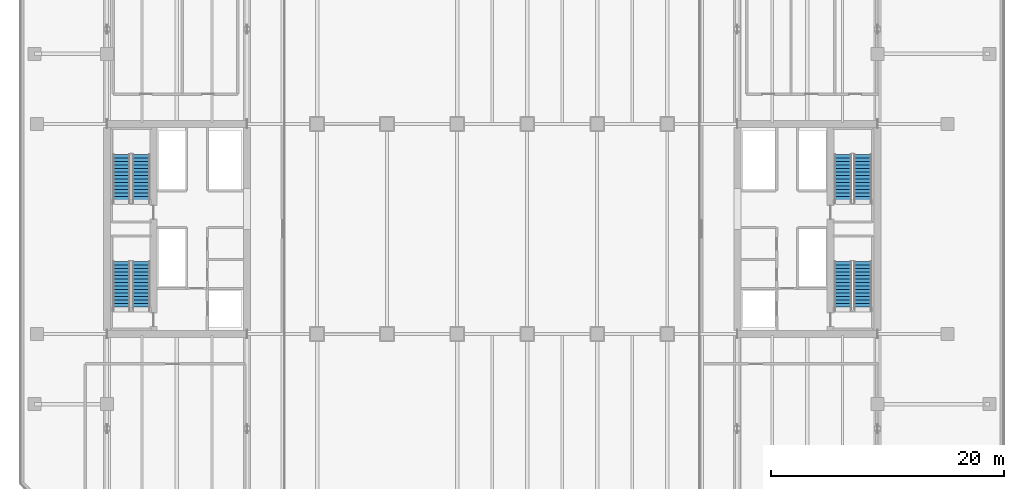
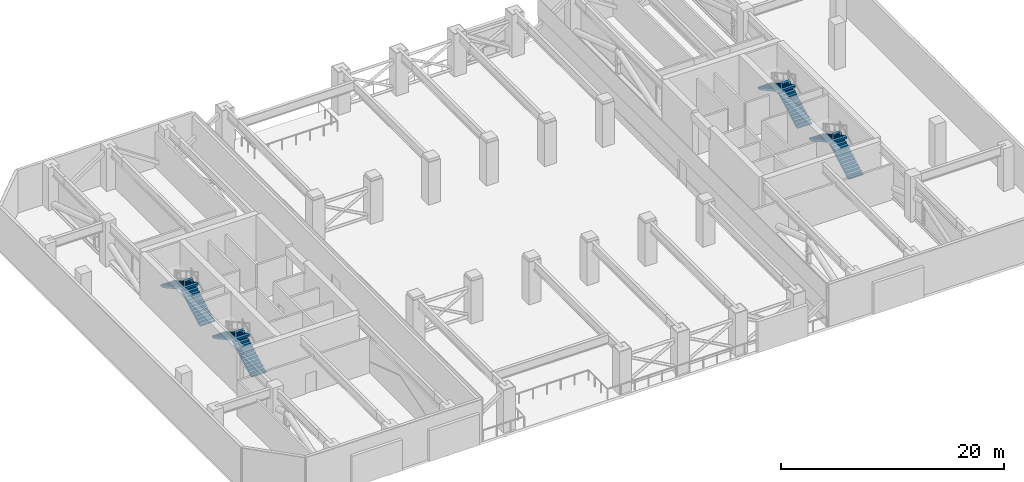
# One storey, part 13 of 22: 8 stair flights, 4 elements without a shape of their own.
"""IFC4 building model written with IfcOpenShell, lengths in metres."""

from ifc_helpers import new_model, si_unit, direction, frame, origin, place, context, subcontext, project, spatial, polyline, outline, extrude, material, type_object, element, aggregate, save


model = new_model("IFC4")

# Units and contexts
model_context = context("Model", 3, precision=1e-05, world=origin(), true_north=direction((0.0, 1.0)))
body_context = subcontext(model_context, "Body", "Model", "MODEL_VIEW")
ifc_project = project(units=[si_unit("LENGTHUNIT", "METRE"), si_unit("AREAUNIT", "SQUARE_METRE"), si_unit("VOLUMEUNIT", "CUBIC_METRE"), si_unit("PLANEANGLEUNIT", "RADIAN"), si_unit("MASSUNIT", "GRAM", prefix="KILO")], contexts=[model_context])

# Site, building, storey
site_placement = place(None, origin())
site = spatial("IfcSite", under=ifc_project, at=site_placement, CompositionType="ELEMENT")
building_placement = place(site_placement, origin())
building = spatial("IfcBuilding", under=site, at=building_placement, Name="Tanjung Sevakor Pilgrim Tower", CompositionType="ELEMENT")
storey_placement = place(building_placement, frame((0.0, 0.0, 73.260009765625)))
storey = spatial("IfcBuildingStorey", under=building, at=storey_placement, Name="L20", CompositionType="ELEMENT", Elevation=73.260009765625)

# Stair, stair flights
ifc_material_1 = material(Name="Concrete C40/50", Category="concrete")
stair_type = type_object("IfcStairType", Name="STAIR-ST-CR150", PredefinedType="HALF_TURN_STAIR", material=ifc_material_1)
stair_1_placement = place(storey_placement, origin())
stair_1 = element("IfcStair", 1, at=stair_1_placement, inside=storey, type_object=stair_type, Name="L20 West Core Exit Stair 1", PredefinedType="HALF_TURN_STAIR")
ifc_material_2 = material(Name="Concrete C40/50", Category="concrete")
stair_flight_type = type_object("IfcStairFlightType", Name="FLIGHT-ST-CR150", PredefinedType="STRAIGHT", material=ifc_material_2)
stair_flight_1_placement = place(storey_placement, frame((26.949951171875, 26.60009765625, 0.0), z_axis=(0.0, 0.0, 1.0), x_axis=(0.0, 1.0, 0.0)))
stair_flight_1 = element("IfcStairFlight", 2, at=stair_flight_1_placement, type_object=stair_flight_type, Name="TS-W1 flight 1", NumberOfRisers=15, NumberOfTreads=14, PredefinedType="STRAIGHT", RiserHeight=0.165, TreadLength=0.3, context=body_context, shape_type="SweptSolid", body=[
    extrude(outline(polyline([(0.0, 0.0), (0.0, 0.1650390625), (0.300048828125, 0.1650390625), (0.300048828125, 0.330078125), (0.60009765625, 0.330078125), (0.60009765625, 0.4951171875), (0.89990234375, 0.4951171875), (0.89990234375, 0.659912109375), (1.199951171875, 0.659912109375), (1.199951171875, 0.824951171875), (1.5, 0.824951171875), (1.5, 0.989990234375), (1.800048828125, 0.989990234375), (1.800048828125, 1.155029296875), (2.10009765625, 1.155029296875), (2.10009765625, 1.320068359375), (2.39990234375, 1.320068359375), (2.39990234375, 1.485107421875), (2.699951171875, 1.485107421875), (2.699951171875, 1.64990234375), (3.0, 1.64990234375), (3.0, 1.81494140625), (3.300048828125, 1.81494140625), (3.300048828125, 1.97998046875), (3.60009765625, 1.97998046875), (3.60009765625, 2.14501953125), (3.89990234375, 2.14501953125), (3.89990234375, 2.31005859375), (4.199951171875, 2.31005859375), (4.199951171875, 2.47509765625), (4.199951171875, 2.12744140625), (0.331787109375, 0.0), (0.0, 0.0)])), frame((0.0, 0.75, 0.0), z_axis=(0.0, -1.0, 0.0), x_axis=(1.0, 0.0, 0.0)), (0.0, 0.0, 1.0), 1.5),
])
stair_flight_2_placement = place(storey_placement, frame((25.25, 30.800048828125, 2.47509765625), z_axis=(0.0, 0.0, 1.0), x_axis=(0.0, -1.0, 0.0)))
stair_flight_2 = element("IfcStairFlight", 3, at=stair_flight_2_placement, type_object=stair_flight_type, Name="TS-W1 flight 2", NumberOfRisers=15, NumberOfTreads=14, PredefinedType="STRAIGHT", RiserHeight=0.165, TreadLength=0.3, context=body_context, shape_type="SweptSolid", body=[
    extrude(outline(polyline([(0.0, 0.0), (0.0, 0.1650390625), (0.300048828125, 0.1650390625), (0.300048828125, 0.330078125), (0.60009765625, 0.330078125), (0.60009765625, 0.4951171875), (0.89990234375, 0.4951171875), (0.89990234375, 0.659912109375), (1.199951171875, 0.659912109375), (1.199951171875, 0.824951171875), (1.5, 0.824951171875), (1.5, 0.989990234375), (1.800048828125, 0.989990234375), (1.800048828125, 1.155029296875), (2.10009765625, 1.155029296875), (2.10009765625, 1.320068359375), (2.39990234375, 1.320068359375), (2.39990234375, 1.485107421875), (2.699951171875, 1.485107421875), (2.699951171875, 1.64990234375), (3.0, 1.64990234375), (3.0, 1.81494140625), (3.300048828125, 1.81494140625), (3.300048828125, 1.97998046875), (3.60009765625, 1.97998046875), (3.60009765625, 2.14501953125), (3.89990234375, 2.14501953125), (3.89990234375, 2.31005859375), (4.199951171875, 2.31005859375), (4.199951171875, 2.47509765625), (4.199951171875, 2.12744140625), (0.331787109375, 0.0), (0.0, 0.0)])), frame((0.0, 0.75, 0.0), z_axis=(0.0, -1.0, 0.0), x_axis=(1.0, 0.0, 0.0)), (0.0, 0.0, 1.0), 1.5),
])
aggregate(stair_1, [stair_flight_1, stair_flight_2])

stair_2_placement = place(storey_placement, origin())
stair_2 = element("IfcStair", 4, at=stair_2_placement, inside=storey, type_object=stair_type, Name="L20 West Core Exit Stair 2", PredefinedType="HALF_TURN_STAIR")
stair_flight_3_placement = place(storey_placement, frame((26.949951171875, 35.800048828125, 0.0), z_axis=(0.0, 0.0, 1.0), x_axis=(0.0, 1.0, 0.0)))
stair_flight_3 = element("IfcStairFlight", 5, at=stair_flight_3_placement, type_object=stair_flight_type, Name="TS-W2 flight 1", NumberOfRisers=15, NumberOfTreads=14, PredefinedType="STRAIGHT", RiserHeight=0.165, TreadLength=0.3, context=body_context, shape_type="SweptSolid", body=[
    extrude(outline(polyline([(0.0, 0.0), (0.0, 0.1650390625), (0.300048828125, 0.1650390625), (0.300048828125, 0.330078125), (0.60009765625, 0.330078125), (0.60009765625, 0.4951171875), (0.89990234375, 0.4951171875), (0.89990234375, 0.659912109375), (1.199951171875, 0.659912109375), (1.199951171875, 0.824951171875), (1.5, 0.824951171875), (1.5, 0.989990234375), (1.800048828125, 0.989990234375), (1.800048828125, 1.155029296875), (2.10009765625, 1.155029296875), (2.10009765625, 1.320068359375), (2.39990234375, 1.320068359375), (2.39990234375, 1.485107421875), (2.699951171875, 1.485107421875), (2.699951171875, 1.64990234375), (3.0, 1.64990234375), (3.0, 1.81494140625), (3.300048828125, 1.81494140625), (3.300048828125, 1.97998046875), (3.60009765625, 1.97998046875), (3.60009765625, 2.14501953125), (3.89990234375, 2.14501953125), (3.89990234375, 2.31005859375), (4.199951171875, 2.31005859375), (4.199951171875, 2.47509765625), (4.199951171875, 2.12744140625), (0.331787109375, 0.0), (0.0, 0.0)])), frame((0.0, 0.75, 0.0), z_axis=(0.0, -1.0, 0.0), x_axis=(1.0, 0.0, 0.0)), (0.0, 0.0, 1.0), 1.5),
])
stair_flight_4_placement = place(storey_placement, frame((25.25, 40.0, 2.47509765625), z_axis=(0.0, 0.0, 1.0), x_axis=(0.0, -1.0, 0.0)))
stair_flight_4 = element("IfcStairFlight", 6, at=stair_flight_4_placement, type_object=stair_flight_type, Name="TS-W2 flight 2", NumberOfRisers=15, NumberOfTreads=14, PredefinedType="STRAIGHT", RiserHeight=0.165, TreadLength=0.3, context=body_context, shape_type="SweptSolid", body=[
    extrude(outline(polyline([(0.0, 0.0), (0.0, 0.1650390625), (0.300048828125, 0.1650390625), (0.300048828125, 0.330078125), (0.60009765625, 0.330078125), (0.60009765625, 0.4951171875), (0.89990234375, 0.4951171875), (0.89990234375, 0.659912109375), (1.199951171875, 0.659912109375), (1.199951171875, 0.824951171875), (1.5, 0.824951171875), (1.5, 0.989990234375), (1.800048828125, 0.989990234375), (1.800048828125, 1.155029296875), (2.10009765625, 1.155029296875), (2.10009765625, 1.320068359375), (2.39990234375, 1.320068359375), (2.39990234375, 1.485107421875), (2.699951171875, 1.485107421875), (2.699951171875, 1.64990234375), (3.0, 1.64990234375), (3.0, 1.81494140625), (3.300048828125, 1.81494140625), (3.300048828125, 1.97998046875), (3.60009765625, 1.97998046875), (3.60009765625, 2.14501953125), (3.89990234375, 2.14501953125), (3.89990234375, 2.31005859375), (4.199951171875, 2.31005859375), (4.199951171875, 2.47509765625), (4.199951171875, 2.12744140625), (0.331787109375, 0.0), (0.0, 0.0)])), frame((0.0, 0.75, 0.0), z_axis=(0.0, -1.0, 0.0), x_axis=(1.0, 0.0, 0.0)), (0.0, 0.0, 1.0), 1.5),
])
aggregate(stair_2, [stair_flight_3, stair_flight_4])

stair_3_placement = place(storey_placement, origin())
stair_3 = element("IfcStair", 7, at=stair_3_placement, inside=storey, type_object=stair_type, Name="L20 East Core Exit Stair 1", PredefinedType="HALF_TURN_STAIR")
stair_flight_5_placement = place(storey_placement, frame((88.75, 26.60009765625, 0.0), z_axis=(0.0, 0.0, 1.0), x_axis=(0.0, 1.0, 0.0)))
stair_flight_5 = element("IfcStairFlight", 8, at=stair_flight_5_placement, type_object=stair_flight_type, Name="TS-E1 flight 1", NumberOfRisers=15, NumberOfTreads=14, PredefinedType="STRAIGHT", RiserHeight=0.165, TreadLength=0.3, context=body_context, shape_type="SweptSolid", body=[
    extrude(outline(polyline([(0.0, 0.0), (0.0, 0.1650390625), (0.300048828125, 0.1650390625), (0.300048828125, 0.330078125), (0.60009765625, 0.330078125), (0.60009765625, 0.4951171875), (0.89990234375, 0.4951171875), (0.89990234375, 0.659912109375), (1.199951171875, 0.659912109375), (1.199951171875, 0.824951171875), (1.5, 0.824951171875), (1.5, 0.989990234375), (1.800048828125, 0.989990234375), (1.800048828125, 1.155029296875), (2.10009765625, 1.155029296875), (2.10009765625, 1.320068359375), (2.39990234375, 1.320068359375), (2.39990234375, 1.485107421875), (2.699951171875, 1.485107421875), (2.699951171875, 1.64990234375), (3.0, 1.64990234375), (3.0, 1.81494140625), (3.300048828125, 1.81494140625), (3.300048828125, 1.97998046875), (3.60009765625, 1.97998046875), (3.60009765625, 2.14501953125), (3.89990234375, 2.14501953125), (3.89990234375, 2.31005859375), (4.199951171875, 2.31005859375), (4.199951171875, 2.47509765625), (4.199951171875, 2.12744140625), (0.331787109375, 0.0), (0.0, 0.0)])), frame((0.0, 0.75, 0.0), z_axis=(0.0, -1.0, 0.0), x_axis=(1.0, 0.0, 0.0)), (0.0, 0.0, 1.0), 1.5),
])
stair_flight_6_placement = place(storey_placement, frame((87.050048828125, 30.800048828125, 2.47509765625), z_axis=(0.0, 0.0, 1.0), x_axis=(0.0, -1.0, 0.0)))
stair_flight_6 = element("IfcStairFlight", 9, at=stair_flight_6_placement, type_object=stair_flight_type, Name="TS-E1 flight 2", NumberOfRisers=15, NumberOfTreads=14, PredefinedType="STRAIGHT", RiserHeight=0.165, TreadLength=0.3, context=body_context, shape_type="SweptSolid", body=[
    extrude(outline(polyline([(0.0, 0.0), (0.0, 0.1650390625), (0.300048828125, 0.1650390625), (0.300048828125, 0.330078125), (0.60009765625, 0.330078125), (0.60009765625, 0.4951171875), (0.89990234375, 0.4951171875), (0.89990234375, 0.659912109375), (1.199951171875, 0.659912109375), (1.199951171875, 0.824951171875), (1.5, 0.824951171875), (1.5, 0.989990234375), (1.800048828125, 0.989990234375), (1.800048828125, 1.155029296875), (2.10009765625, 1.155029296875), (2.10009765625, 1.320068359375), (2.39990234375, 1.320068359375), (2.39990234375, 1.485107421875), (2.699951171875, 1.485107421875), (2.699951171875, 1.64990234375), (3.0, 1.64990234375), (3.0, 1.81494140625), (3.300048828125, 1.81494140625), (3.300048828125, 1.97998046875), (3.60009765625, 1.97998046875), (3.60009765625, 2.14501953125), (3.89990234375, 2.14501953125), (3.89990234375, 2.31005859375), (4.199951171875, 2.31005859375), (4.199951171875, 2.47509765625), (4.199951171875, 2.12744140625), (0.331787109375, 0.0), (0.0, 0.0)])), frame((0.0, 0.75, 0.0), z_axis=(0.0, -1.0, 0.0), x_axis=(1.0, 0.0, 0.0)), (0.0, 0.0, 1.0), 1.5),
])
aggregate(stair_3, [stair_flight_5, stair_flight_6])

stair_4_placement = place(storey_placement, origin())
stair_4 = element("IfcStair", 10, at=stair_4_placement, inside=storey, type_object=stair_type, Name="L20 East Core Exit Stair 2", PredefinedType="HALF_TURN_STAIR")
stair_flight_7_placement = place(storey_placement, frame((88.75, 35.800048828125, 0.0), z_axis=(0.0, 0.0, 1.0), x_axis=(0.0, 1.0, 0.0)))
stair_flight_7 = element("IfcStairFlight", 11, at=stair_flight_7_placement, type_object=stair_flight_type, Name="TS-E2 flight 1", NumberOfRisers=15, NumberOfTreads=14, PredefinedType="STRAIGHT", RiserHeight=0.165, TreadLength=0.3, context=body_context, shape_type="SweptSolid", body=[
    extrude(outline(polyline([(0.0, 0.0), (0.0, 0.1650390625), (0.300048828125, 0.1650390625), (0.300048828125, 0.330078125), (0.60009765625, 0.330078125), (0.60009765625, 0.4951171875), (0.89990234375, 0.4951171875), (0.89990234375, 0.659912109375), (1.199951171875, 0.659912109375), (1.199951171875, 0.824951171875), (1.5, 0.824951171875), (1.5, 0.989990234375), (1.800048828125, 0.989990234375), (1.800048828125, 1.155029296875), (2.10009765625, 1.155029296875), (2.10009765625, 1.320068359375), (2.39990234375, 1.320068359375), (2.39990234375, 1.485107421875), (2.699951171875, 1.485107421875), (2.699951171875, 1.64990234375), (3.0, 1.64990234375), (3.0, 1.81494140625), (3.300048828125, 1.81494140625), (3.300048828125, 1.97998046875), (3.60009765625, 1.97998046875), (3.60009765625, 2.14501953125), (3.89990234375, 2.14501953125), (3.89990234375, 2.31005859375), (4.199951171875, 2.31005859375), (4.199951171875, 2.47509765625), (4.199951171875, 2.12744140625), (0.331787109375, 0.0), (0.0, 0.0)])), frame((0.0, 0.75, 0.0), z_axis=(0.0, -1.0, 0.0), x_axis=(1.0, 0.0, 0.0)), (0.0, 0.0, 1.0), 1.5),
])
stair_flight_8_placement = place(storey_placement, frame((87.050048828125, 40.0, 2.47509765625), z_axis=(0.0, 0.0, 1.0), x_axis=(0.0, -1.0, 0.0)))
stair_flight_8 = element("IfcStairFlight", 12, at=stair_flight_8_placement, type_object=stair_flight_type, Name="TS-E2 flight 2", NumberOfRisers=15, NumberOfTreads=14, PredefinedType="STRAIGHT", RiserHeight=0.165, TreadLength=0.3, context=body_context, shape_type="SweptSolid", body=[
    extrude(outline(polyline([(0.0, 0.0), (0.0, 0.1650390625), (0.300048828125, 0.1650390625), (0.300048828125, 0.330078125), (0.60009765625, 0.330078125), (0.60009765625, 0.4951171875), (0.89990234375, 0.4951171875), (0.89990234375, 0.659912109375), (1.199951171875, 0.659912109375), (1.199951171875, 0.824951171875), (1.5, 0.824951171875), (1.5, 0.989990234375), (1.800048828125, 0.989990234375), (1.800048828125, 1.155029296875), (2.10009765625, 1.155029296875), (2.10009765625, 1.320068359375), (2.39990234375, 1.320068359375), (2.39990234375, 1.485107421875), (2.699951171875, 1.485107421875), (2.699951171875, 1.64990234375), (3.0, 1.64990234375), (3.0, 1.81494140625), (3.300048828125, 1.81494140625), (3.300048828125, 1.97998046875), (3.60009765625, 1.97998046875), (3.60009765625, 2.14501953125), (3.89990234375, 2.14501953125), (3.89990234375, 2.31005859375), (4.199951171875, 2.31005859375), (4.199951171875, 2.47509765625), (4.199951171875, 2.12744140625), (0.331787109375, 0.0), (0.0, 0.0)])), frame((0.0, 0.75, 0.0), z_axis=(0.0, -1.0, 0.0), x_axis=(1.0, 0.0, 0.0)), (0.0, 0.0, 1.0), 1.5),
])
aggregate(stair_4, [stair_flight_7, stair_flight_8])

save(model, "model.ifc")
